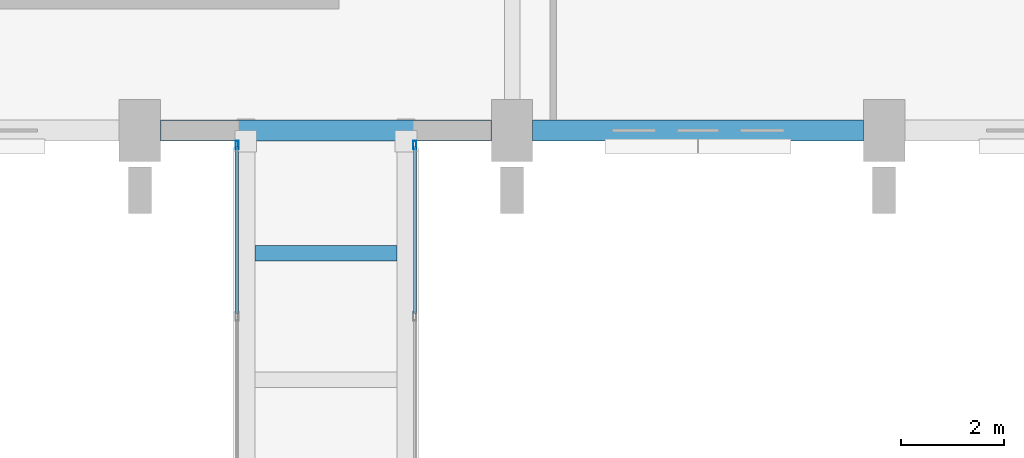
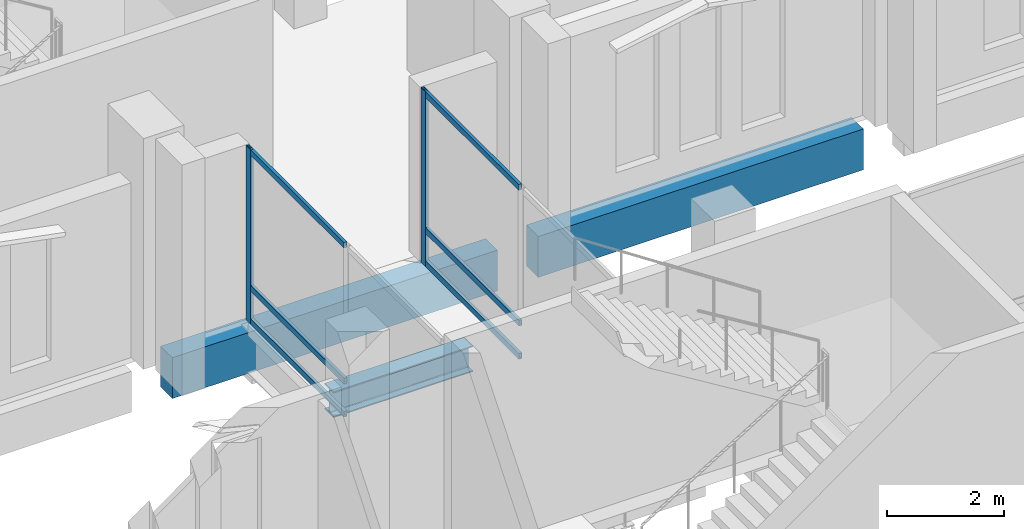
# One storey, part 90 of 220: 8 members, 3 beams, 2 elements without a shape of their own.
"""IFC4 building model written with IfcOpenShell, lengths in metres."""

from ifc_helpers import new_model, si_unit, direction, frame, origin, origin_2d, place, context, subcontext, project, spatial, rectangle, hollow_rectangle, i_section, extrude, material, material_profile, profile_set, type_object, element, aggregate, save


model = new_model("IFC4")

# Units and contexts
model_context = context("Model", 3, precision=1e-05, world=origin(), true_north=direction((0.0, 1.0)))
body_context = subcontext(model_context, "Body", "Model", "MODEL_VIEW")
ifc_project = project(units=[si_unit("LENGTHUNIT", "METRE"), si_unit("AREAUNIT", "SQUARE_METRE"), si_unit("VOLUMEUNIT", "CUBIC_METRE"), si_unit("PLANEANGLEUNIT", "RADIAN"), si_unit("MASSUNIT", "GRAM", prefix="KILO")], contexts=[model_context])

# Site, building, storey
site_placement = place(None, origin())
site = spatial("IfcSite", under=ifc_project, at=site_placement, CompositionType="ELEMENT")
building_placement = place(site_placement, origin())
building = spatial("IfcBuilding", under=site, at=building_placement, Name="Cendralis Lancet Convention Centre", CompositionType="ELEMENT")
storey_placement = place(building_placement, frame((0.0, 0.0, 5.39990234375)))
storey = spatial("IfcBuildingStorey", under=building, at=storey_placement, Name="L01", CompositionType="ELEMENT", Elevation=5.39990234375)

# Curtain wall, member
ifc_material_1 = material(Name="Anodised bronze architectural aluminium", Category="aluminium")
curtain_wall_type = type_object("IfcCurtainWallType", Name="ARC-CW-BR01", PredefinedType="USERDEFINED", material=ifc_material_1)
curtain_wall_1_placement = place(storey_placement, origin())
curtain_wall_1 = element("IfcCurtainWall", 1, at=curtain_wall_1_placement, inside=storey, type_object=curtain_wall_type, Name="L01 Curtain Wall CW-BR1 #213", ObjectType="CURTAIN WALL", PredefinedType="USERDEFINED")
ifc_material_profile_1 = material_profile(ifc_material_1, hollow_rectangle(XDim=0.06005859375, YDim=0.159912109375, WallThickness=0.00390625, at=origin_2d()), Name="AL-MULL 60x160x4.0")
ifc_profile_set_1 = profile_set([ifc_material_profile_1], Name="Anodised bronze architectural aluminium")
member_type_1 = type_object("IfcMemberType", Name="ARC-CW-ML01", PredefinedType="MULLION", material=ifc_profile_set_1)
member_1_placement = place(storey_placement, frame((148.280029296875, 42.919921875, 0.0), z_axis=(0.0, 0.0, 1.0), x_axis=(1.0, 0.0, 0.0)))
member_1 = element("IfcMember", 2, at=member_1_placement, type_object=member_type_1, Name="Mullion CW2-CW-BR1-L01-213-M2", PredefinedType="MULLION", context=body_context, shape_type="SweptSolid", body=[
    extrude(hollow_rectangle(XDim=0.06005859375, YDim=0.159912109375, WallThickness=0.00390625, at=origin_2d()), origin(), (0.0, 0.0, 1.0), 3.635009765625),
])

curtain_wall_2_placement = place(storey_placement, origin())
curtain_wall_2 = element("IfcCurtainWall", 3, at=curtain_wall_2_placement, inside=storey, type_object=curtain_wall_type, Name="L01 Curtain Wall CW-BR1 #214", ObjectType="CURTAIN WALL", PredefinedType="USERDEFINED")
member_2_placement = place(storey_placement, frame((151.719970703125, 42.919921875, 0.0), z_axis=(0.0, 0.0, 1.0), x_axis=(1.0, 0.0, 0.0)))
member_2 = element("IfcMember", 4, at=member_2_placement, type_object=member_type_1, Name="Mullion CW2-CW-BR1-L01-214-M2", PredefinedType="MULLION", context=body_context, shape_type="SweptSolid", body=[
    extrude(hollow_rectangle(XDim=0.06005859375, YDim=0.159912109375, WallThickness=0.00390625, at=origin_2d()), origin(), (0.0, 0.0, 1.0), 3.635009765625),
])

# Member
ifc_material_profile_2 = material_profile(ifc_material_1, hollow_rectangle(XDim=0.06005859375, YDim=0.1201171875, WallThickness=0.00390625, at=origin_2d()), Name="AL-TRAN 60x120x4.0")
ifc_profile_set_2 = profile_set([ifc_material_profile_2], Name="Anodised bronze architectural aluminium")
member_type_2 = type_object("IfcMemberType", Name="ARC-CW-TR01", PredefinedType="USERDEFINED", material=ifc_profile_set_2)
member_3_placement = place(storey_placement, frame((148.280029296875, 39.659912109375, 0.06005859375), z_axis=(0.0, 1.0, 0.0), x_axis=(-1.0, 0.0, 0.0)))
member_3 = element("IfcMember", 5, at=member_3_placement, type_object=member_type_2, Name="Transom CW2-CW-BR1-L01-213-T1BOT", ObjectType="TRANSOM", PredefinedType="USERDEFINED", context=body_context, shape_type="SweptSolid", body=[
    extrude(hollow_rectangle(XDim=0.06005859375, YDim=0.1201171875, WallThickness=0.00390625, at=origin_2d()), origin(), (0.0, 0.0, 1.0), 3.22998046875),
])

member_4_placement = place(storey_placement, frame((148.280029296875, 39.659912109375, 0.75), z_axis=(0.0, 1.0, 0.0), x_axis=(-1.0, 0.0, 0.0)))
member_4 = element("IfcMember", 6, at=member_4_placement, type_object=member_type_2, Name="Transom CW2-CW-BR1-L01-213-T1MID", ObjectType="TRANSOM", PredefinedType="USERDEFINED", context=body_context, shape_type="SweptSolid", body=[
    extrude(hollow_rectangle(XDim=0.06005859375, YDim=0.1201171875, WallThickness=0.00390625, at=origin_2d()), origin(), (0.0, 0.0, 1.0), 3.22998046875),
])

member_5_placement = place(storey_placement, frame((148.280029296875, 39.659912109375, 3.5751953125), z_axis=(0.0, 1.0, 0.0), x_axis=(-1.0, 0.0, 0.0)))
member_5 = element("IfcMember", 7, at=member_5_placement, type_object=member_type_2, Name="Transom CW2-CW-BR1-L01-213-T1TOP", ObjectType="TRANSOM", PredefinedType="USERDEFINED", context=body_context, shape_type="SweptSolid", body=[
    extrude(hollow_rectangle(XDim=0.06005859375, YDim=0.1201171875, WallThickness=0.00390625, at=origin_2d()), origin(), (0.0, 0.0, 1.0), 3.22998046875),
])

aggregate(curtain_wall_1, [member_1, member_3, member_4, member_5])

member_6_placement = place(storey_placement, frame((151.719970703125, 39.659912109375, 0.06005859375), z_axis=(0.0, 1.0, 0.0), x_axis=(-1.0, 0.0, 0.0)))
member_6 = element("IfcMember", 8, at=member_6_placement, type_object=member_type_2, Name="Transom CW2-CW-BR1-L01-214-T1BOT", ObjectType="TRANSOM", PredefinedType="USERDEFINED", context=body_context, shape_type="SweptSolid", body=[
    extrude(hollow_rectangle(XDim=0.06005859375, YDim=0.1201171875, WallThickness=0.00390625, at=origin_2d()), origin(), (0.0, 0.0, 1.0), 3.22998046875),
])

member_7_placement = place(storey_placement, frame((151.719970703125, 39.659912109375, 0.75), z_axis=(0.0, 1.0, 0.0), x_axis=(-1.0, 0.0, 0.0)))
member_7 = element("IfcMember", 9, at=member_7_placement, type_object=member_type_2, Name="Transom CW2-CW-BR1-L01-214-T1MID", ObjectType="TRANSOM", PredefinedType="USERDEFINED", context=body_context, shape_type="SweptSolid", body=[
    extrude(hollow_rectangle(XDim=0.06005859375, YDim=0.1201171875, WallThickness=0.00390625, at=origin_2d()), origin(), (0.0, 0.0, 1.0), 3.22998046875),
])

member_8_placement = place(storey_placement, frame((151.719970703125, 39.659912109375, 3.5751953125), z_axis=(0.0, 1.0, 0.0), x_axis=(-1.0, 0.0, 0.0)))
member_8 = element("IfcMember", 10, at=member_8_placement, type_object=member_type_2, Name="Transom CW2-CW-BR1-L01-214-T1TOP", ObjectType="TRANSOM", PredefinedType="USERDEFINED", context=body_context, shape_type="SweptSolid", body=[
    extrude(hollow_rectangle(XDim=0.06005859375, YDim=0.1201171875, WallThickness=0.00390625, at=origin_2d()), origin(), (0.0, 0.0, 1.0), 3.22998046875),
])

aggregate(curtain_wall_2, [member_2, member_6, member_7, member_8])

# Beams
ifc_material_2 = material(Name="Steel S355", Category="steel")
ifc_material_profile_3 = material_profile(ifc_material_2, i_section(OverallWidth=0.300048828125, OverallDepth=0.5400390625, WebThickness=0.012451171875, FlangeThickness=0.02392578125, FilletRadius=0.027099609375, at=origin_2d()), Name="HEA 550")
ifc_profile_set_3 = profile_set([ifc_material_profile_3], Name="Steel S355")
beam_type_1 = type_object("IfcBeamType", Name="STR-BM-SG11", PredefinedType="BEAM", material=ifc_profile_set_3)
beam_placement = place(storey_placement, frame((148.6298828125, 40.823974609375, -0.489990234375), z_axis=(1.0, 0.0, 0.0), x_axis=(0.0, 1.0, 0.0)))
element("IfcBeam", 11, at=beam_placement, inside=storey, type_object=beam_type_1, Name="L01 Beam SG11 #1935", PredefinedType="BEAM", context=body_context, shape_type="SweptSolid", body=[
    extrude(i_section(OverallWidth=0.300048828125, OverallDepth=0.5400390625, WebThickness=0.012451171875, FlangeThickness=0.02392578125, FilletRadius=0.027099609375, at=origin_2d()), origin(), (0.0, 0.0, 1.0), 2.740234375),
])
ifc_material_3 = material(Name="Concrete G40 (C40/50)", Category="concrete")
ifc_material_profile_4 = material_profile(ifc_material_3, rectangle(XDim=0.39990234375, YDim=0.85009765625, at=origin_2d()), Name="RCB 400x850")
ifc_profile_set_4 = profile_set([ifc_material_profile_4], Name="Concrete G40 (C40/50)")
beam_type_2 = type_object("IfcBeamType", Name="STR-SP-SP02", PredefinedType="SPANDREL", material=ifc_profile_set_4)
for number, where, z_axis, x_axis, name in (
    (12, (146.800048828125, 43.199951171875, -0.704833984375), (1.0, 0.0, 0.0), (0.0, 1.0, 0.0), "L01 Beam SP02 #1395"),
    (13, (154.0, 43.199951171875, -0.704833984375), (1.0, 0.0, 0.0), (0.0, 1.0, 0.0), "L01 Beam SP02 #1396"),
):
    element("IfcBeam", number, at=place(storey_placement, frame(where, z_axis=z_axis, x_axis=x_axis)), inside=storey, type_object=beam_type_2, Name=name, PredefinedType="SPANDREL", context=body_context, shape_type="SweptSolid", body=[
        extrude(rectangle(XDim=0.39990234375, YDim=0.85009765625, at=origin_2d()), origin(), (0.0, 0.0, 1.0), 6.39990234375),
    ])

save(model, "model.ifc")
